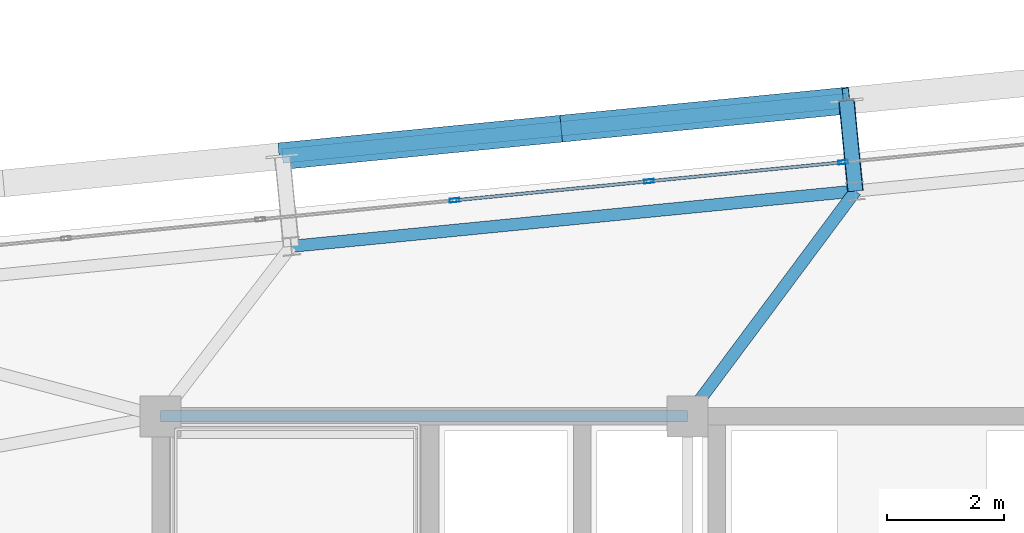
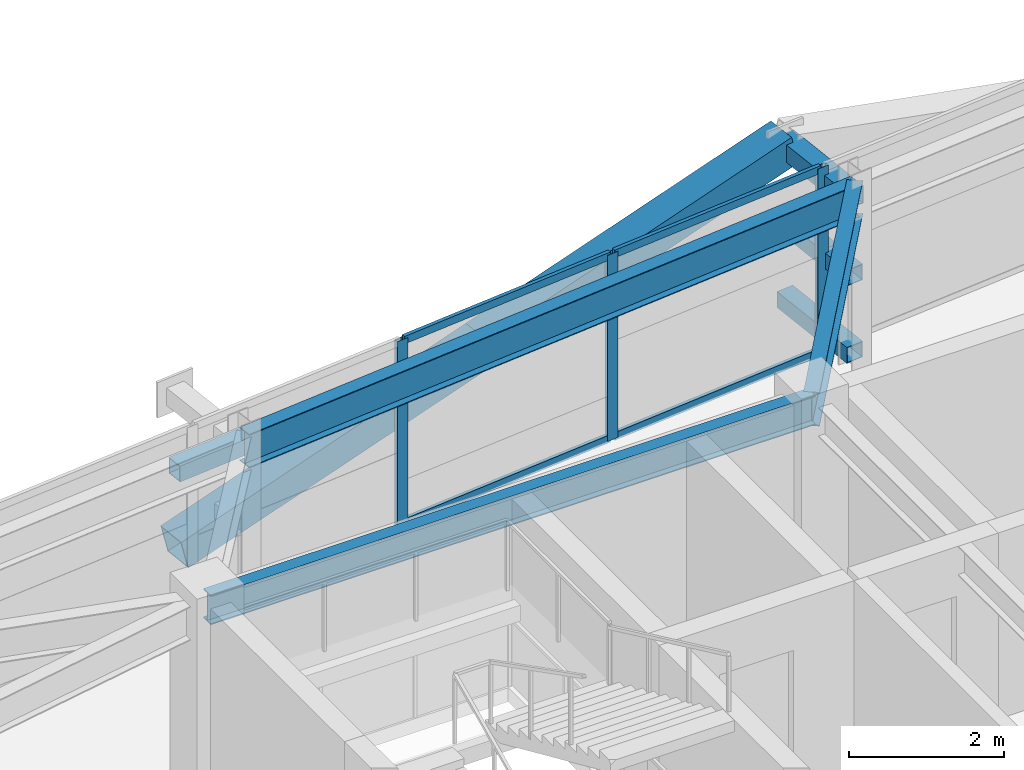
# One storey, part 29 of 53: 13 members, 3 beams, 1 element without a shape of its own.
"""IFC4 building model written with IfcOpenShell, lengths in metres."""

from ifc_helpers import new_model, si_unit, direction, frame, origin, origin_2d, place, context, subcontext, project, spatial, hollow_rectangle, i_section, extrude, source, transform, mapped, material, layer, layer_set, material_profile, profile_set, type_object, element, aggregate, save


model = new_model("IFC4")

# Units and contexts
model_context = context("Model", 3, precision=1e-05, world=origin(), true_north=direction((0.0, 1.0)))
body_context = subcontext(model_context, "Body", "Model", "MODEL_VIEW")
ifc_project = project(units=[si_unit("LENGTHUNIT", "METRE"), si_unit("AREAUNIT", "SQUARE_METRE"), si_unit("VOLUMEUNIT", "CUBIC_METRE"), si_unit("PLANEANGLEUNIT", "RADIAN"), si_unit("MASSUNIT", "GRAM", prefix="KILO")], contexts=[model_context])

# Site, building, storey
site_placement = place(None, origin())
site = spatial("IfcSite", under=ifc_project, at=site_placement, CompositionType="ELEMENT")
building_placement = place(site_placement, origin())
building = spatial("IfcBuilding", under=site, at=building_placement, Name="Taldren Reach Tower", CompositionType="ELEMENT")
storey_placement = place(building_placement, frame((0.0, 0.0, 84.0)))
storey = spatial("IfcBuildingStorey", under=building, at=storey_placement, Name="L25", CompositionType="ELEMENT", Elevation=84.0)

# Beam
ifc_material_1 = material(Name="Steel Gr 350 (350PLUS)", Category="steel")
ifc_material_profile_1 = material_profile(ifc_material_1, i_section(OverallWidth=0.19091796875, OverallDepth=0.4599609375, WebThickness=0.010009765625, FlangeThickness=0.01611328125, at=origin_2d()), Name="460UB82.1")
ifc_profile_set_1 = profile_set([ifc_material_profile_1], Name="Steel Gr 350 (350PLUS)")
beam_type_1 = type_object("IfcBeamType", Name="BM-UB460A", PredefinedType="BEAM", material=ifc_profile_set_1)
shared_shape_1 = source(origin(), body_context, "Body", "SweptSolid", [
    extrude(i_section(OverallWidth=0.19091796875, OverallDepth=0.4599609375, WebThickness=0.010009765625, FlangeThickness=0.01611328125, at=origin_2d()), origin(), (0.0, 0.0, 1.0), 9.0),
])
beam_1_placement = place(storey_placement, frame((19.0, 32.0, 2.699951171875), z_axis=(1.0, 0.0, 0.0), x_axis=(0.0, 1.0, 0.0)))
element("IfcBeam", 1, at=beam_1_placement, inside=storey, type_object=beam_type_1, Name="Core-spine girder L25-SP04", PredefinedType="BEAM", context=body_context, shape_type="MappedRepresentation", body=[
    mapped(shared_shape_1, transform((0.0, 0.0, 0.0), scale=1.0)),
])

# Members
ifc_material_2 = material(Name="Steel Gr 450 (C450L0)", Category="steel")
ifc_material_profile_2 = material_profile(ifc_material_2, hollow_rectangle(XDim=0.27490234375, YDim=0.27490234375, WallThickness=0.00927734375, at=origin_2d()), Name="275x275x9.3SHS")
ifc_profile_set_2 = profile_set([ifc_material_profile_2], Name="Steel Gr 450 (C450L0)")
member_type_1 = type_object("IfcMemberType", Name="MB-TIE273", PredefinedType="STRUT", material=ifc_profile_set_2)
shared_shape_2 = source(origin(), body_context, "Body", "SweptSolid", [
    extrude(hollow_rectangle(XDim=0.27490234375, YDim=0.27490234375, WallThickness=0.00927734375, at=origin_2d()), origin(), (0.0, 0.0, 1.0), 1.5498046875),
])
member_1_placement = place(storey_placement, frame((30.864501953125, 35.84619140625, 2.64990234375), z_axis=(-0.097663201064, 0.995219523099, 0.0), x_axis=(-0.995219523099, -0.097663201064, 0.0)))
element("IfcMember", 2, at=member_1_placement, inside=storey, type_object=member_type_1, Name="Exoskeleton diaphragm tie strut B2-N3 L25", PredefinedType="STRUT", context=body_context, shape_type="MappedRepresentation", body=[
    mapped(shared_shape_2, transform((0.0, 0.0, 0.0), scale=1.0)),
])
ifc_material_3 = material(Name="Steel Gr 350 (C350L0)", Category="steel")
ifc_material_profile_3 = material_profile(ifc_material_3, hollow_rectangle(XDim=0.25, YDim=0.25, WallThickness=0.010009765625, at=origin_2d()), Name="250x250x10.0SHS")
ifc_profile_set_3 = profile_set([ifc_material_profile_3], Name="Steel Gr 350 (C350L0)")
member_type_2 = type_object("IfcMemberType", Name="MB-POST250", PredefinedType="POST", material=ifc_profile_set_3)
shared_shape_3 = source(origin(), body_context, "Body", "SweptSolid", [
    extrude(hollow_rectangle(XDim=0.25, YDim=0.25, WallThickness=0.010009765625, at=origin_2d()), origin(), (0.0, 0.0, 1.0), 1.5498046875),
])
for number, where, z_axis, x_axis, name in (
    (3, (30.864501953125, 35.84619140625, 0.219970703125), (-0.097663201064, 0.995219523099, 0.0), (-0.995219523099, -0.097663201064, 0.0), "Exoskeleton base diaphragm tie strut B2-N3 L25"),
    (4, (30.864501953125, 35.84619140625, 1.43505859375), (-0.097663201064, 0.995219523099, 0.0), (-0.995219523099, -0.097663201064, 0.0), "Exoskeleton mid-tier diaphragm tie B2-N3 L25"),
):
    element("IfcMember", number, at=place(storey_placement, frame(where, z_axis=z_axis, x_axis=x_axis)), inside=storey, type_object=member_type_2, Name=name, PredefinedType="POST", context=body_context, shape_type="MappedRepresentation", body=[
        mapped(shared_shape_3, transform((0.0, 0.0, 0.0), scale=1.0)),
    ])

# Beams
ifc_material_profile_4 = material_profile(ifc_material_1, i_section(OverallWidth=0.208984375, OverallDepth=0.528076171875, WebThickness=0.009521484375, FlangeThickness=0.01318359375, at=origin_2d()), Name="530UB82.0")
ifc_profile_set_4 = profile_set([ifc_material_profile_4], Name="Steel Gr 350 (350PLUS)")
beam_type_2 = type_object("IfcBeamType", Name="SP-UB530B", PredefinedType="SPANDREL", material=ifc_profile_set_4)
shared_shape_4 = source(origin(), body_context, "Body", "SweptSolid", [
    extrude(i_section(OverallWidth=0.208984375, OverallDepth=0.528076171875, WebThickness=0.009521484375, FlangeThickness=0.01318359375, at=origin_2d()), origin(), (0.0, 0.0, 1.0), 9.679931640625),
])
beam_2_placement = place(storey_placement, frame((30.864501953125, 35.84619140625, 2.666015625), z_axis=(-0.995225162995, -0.097605711627, 0.0), x_axis=(0.097605711627, -0.995225162995, 0.0)))
element("IfcBeam", 5, at=beam_2_placement, inside=storey, type_object=beam_type_2, Name="Perimeter spandrel B2 N3-N2 L25", PredefinedType="SPANDREL", context=body_context, shape_type="MappedRepresentation", body=[
    mapped(shared_shape_4, transform((0.0, 0.0, 0.0), scale=1.0)),
])
ifc_material_profile_5 = material_profile(ifc_material_1, i_section(OverallWidth=0.208984375, OverallDepth=0.532958984375, WebThickness=0.01025390625, FlangeThickness=0.015625, at=origin_2d()), Name="530UB92.4")
ifc_profile_set_5 = profile_set([ifc_material_profile_5], Name="Steel Gr 350 (350PLUS)")
beam_type_3 = type_object("IfcBeamType", Name="BM-UB530A", PredefinedType="BEAM", material=ifc_profile_set_5)
shared_shape_5 = source(origin(), body_context, "Body", "SweptSolid", [
    extrude(i_section(OverallWidth=0.208984375, OverallDepth=0.532958984375, WebThickness=0.01025390625, FlangeThickness=0.015625, at=origin_2d()), origin(), (0.0, 0.0, 1.0), 4.795654296875),
])
beam_3_placement = place(storey_placement, frame((28.0, 32.0, 2.66357421875), z_axis=(0.59730864792, 0.802011458223, 0.0), x_axis=(-0.802011458223, 0.59730864792, 0.0)))
element("IfcBeam", 6, at=beam_3_placement, inside=storey, type_object=beam_type_3, Name="Primary floor girder B2-N3 L25", PredefinedType="BEAM", context=body_context, shape_type="MappedRepresentation", body=[
    mapped(shared_shape_5, transform((0.0, 0.0, 0.0), scale=1.0)),
])

# Members
ifc_material_profile_6 = material_profile(ifc_material_2, hollow_rectangle(XDim=0.4599609375, YDim=0.4599609375, WallThickness=0.01611328125, at=origin_2d()), Name="460x460x16.0SHS")
ifc_profile_set_6 = profile_set([ifc_material_profile_6], Name="Steel Gr 450 (C450L0)")
member_type_3 = type_object("IfcMemberType", Name="MB-EXO457", PredefinedType="BRACE", material=ifc_profile_set_6)
shared_shape_6 = source(origin(), body_context, "Body", "SweptSolid", [
    extrude(hollow_rectangle(XDim=0.4599609375, YDim=0.4599609375, WallThickness=0.01611328125, at=origin_2d()), origin(), (0.0, 0.0, 1.0), 4.990234375),
])
for number, where, z_axis, x_axis, name in (
    (7, (21.079345703125, 36.444091796875, 0.219970703125), (0.965271056716, 0.094667992638, 0.243494883389), (-0.097605711627, 0.995225162995, 0.0), "Exoskeleton Diagrid Brace B2-N2 L25"),
    (8, (25.896240234375, 36.91650390625, 1.43505859375), (0.965287024526, 0.094620633828, 0.24344998652), (-0.097555749586, 0.995230061706, 0.0), "Exoskeleton Diagrid Brace B2-N2 L25"),
):
    element("IfcMember", number, at=place(storey_placement, frame(where, z_axis=z_axis, x_axis=x_axis)), inside=storey, type_object=member_type_3, Name=name, PredefinedType="BRACE", context=body_context, shape_type="MappedRepresentation", body=[
        mapped(shared_shape_6, transform((0.0, 0.0, 0.0), scale=1.0)),
    ])
shared_shape_7 = source(origin(), body_context, "Body", "SweptSolid", [
    extrude(hollow_rectangle(XDim=0.25, YDim=0.25, WallThickness=0.010009765625, at=origin_2d()), origin(), (0.0, 0.0, 1.0), 9.679931640625),
])
member_2_placement = place(storey_placement, frame((21.079345703125, 36.444091796875, 1.43505859375), z_axis=(0.995227612658, 0.097580730699, 0.0), x_axis=(-0.097580730699, 0.995227612658, 0.0)))
element("IfcMember", 9, at=member_2_placement, inside=storey, type_object=member_type_2, Name="Exoskeleton mid-height ring chord B2-N2 L25", PredefinedType="POST", context=body_context, shape_type="MappedRepresentation", body=[
    mapped(shared_shape_7, transform((0.0, 0.0, 0.0), scale=1.0)),
])

# Curtain wall, members
ifc_material_4 = material(Name="Aluminium and Low-E Glass Unitised System", Category="aluminium")
ifc_layer = layer(ifc_material_4, 0.159912109375)
ifc_layer_set = layer_set([ifc_layer], Name="Aluminium and Low-E Glass Unitised System")
curtain_wall_type = type_object("IfcCurtainWallType", Name="CW-SYS-3", PredefinedType="NOTDEFINED", material=ifc_layer_set)
curtain_wall_placement = place(storey_placement, origin())
curtain_wall = element("IfcCurtainWall", 10, at=curtain_wall_placement, inside=storey, type_object=curtain_wall_type, Name="Unitised curtain wall CW-L25-N", PredefinedType="NOTDEFINED")
ifc_material_5 = material(Name="Anodised Aluminium 6063-T6", Category="aluminium")
ifc_material_profile_7 = material_profile(ifc_material_5, hollow_rectangle(XDim=0.06494140625, YDim=0.1650390625, WallThickness=0.00390625, at=origin_2d()), Name="ALU-165x65x4RHS")
ifc_profile_set_7 = profile_set([ifc_material_profile_7], Name="Anodised Aluminium 6063-T6")
member_type_4 = type_object("IfcMemberType", Name="CW-MUL-165", PredefinedType="MULLION", material=ifc_profile_set_7)
shared_shape_8 = source(origin(), body_context, "Body", "SweptSolid", [
    extrude(hollow_rectangle(XDim=0.06494140625, YDim=0.1650390625, WallThickness=0.00390625, at=origin_2d()), origin(), (0.0, 0.0, 1.0), 2.929931640625),
])
member_3_placement = place(storey_placement, frame((30.655517578125, 36.338134765625, 0.0), z_axis=(0.0, 0.0, 1.0), x_axis=(0.097582999046, -0.995227390247, 0.0)))
member_3 = element("IfcMember", 11, at=member_3_placement, type_object=member_type_4, Name="CW-3 mullion 10", PredefinedType="MULLION", context=body_context, shape_type="MappedRepresentation", body=[
    mapped(shared_shape_8, transform((0.0, 0.0, 0.0), scale=1.0)),
])
member_4_placement = place(storey_placement, frame((27.337890625, 36.0126953125, 0.0), z_axis=(0.0, 0.0, 1.0), x_axis=(0.097582999046, -0.995227390247, 0.0)))
member_4 = element("IfcMember", 12, at=member_4_placement, type_object=member_type_4, Name="CW-3 mullion 11", PredefinedType="MULLION", context=body_context, shape_type="MappedRepresentation", body=[
    mapped(shared_shape_8, transform((0.0, 0.0, 0.0), scale=1.0)),
])
member_5_placement = place(storey_placement, frame((24.0205078125, 35.6875, 0.0), z_axis=(0.0, 0.0, 1.0), x_axis=(0.097582999046, -0.995227390247, 0.0)))
member_5 = element("IfcMember", 13, at=member_5_placement, type_object=member_type_4, Name="CW-3 mullion 12", PredefinedType="MULLION", context=body_context, shape_type="MappedRepresentation", body=[
    mapped(shared_shape_8, transform((0.0, 0.0, 0.0), scale=1.0)),
])
ifc_material_profile_8 = material_profile(ifc_material_5, hollow_rectangle(XDim=0.054931640625, YDim=0.1201171875, WallThickness=0.0029296875, at=origin_2d()), Name="ALU-120x55x3RHS")
ifc_profile_set_8 = profile_set([ifc_material_profile_8], Name="Anodised Aluminium 6063-T6")
member_type_5 = type_object("IfcMemberType", Name="CW-TRN-135", PredefinedType="USERDEFINED", material=ifc_profile_set_8)
shared_shape_9 = source(origin(), body_context, "Body", "SweptSolid", [
    extrude(hollow_rectangle(XDim=0.054931640625, YDim=0.1201171875, WallThickness=0.0029296875, at=origin_2d()), origin(), (0.0, 0.0, 1.0), 3.268310546875),
])
member_6_placement = place(storey_placement, frame((30.623046875, 36.3349609375, 0.027587890625), z_axis=(-0.995222549564, -0.097632355496, 0.0), x_axis=(0.097632355496, -0.995222549564, 0.0)))
member_6 = element("IfcMember", 14, at=member_6_placement, type_object=member_type_5, Name="CW-3 transom 10.1", ObjectType="TRANSOM", PredefinedType="USERDEFINED", context=body_context, shape_type="MappedRepresentation", body=[
    mapped(shared_shape_9, transform((0.0, 0.0, 0.0), scale=1.0)),
])
member_7_placement = place(storey_placement, frame((30.623046875, 36.3349609375, 2.902587890625), z_axis=(-0.995222549564, -0.097632355496, 0.0), x_axis=(0.097632355496, -0.995222549564, 0.0)))
member_7 = element("IfcMember", 15, at=member_7_placement, type_object=member_type_5, Name="CW-3 transom 10.2", ObjectType="TRANSOM", PredefinedType="USERDEFINED", context=body_context, shape_type="MappedRepresentation", body=[
    mapped(shared_shape_9, transform((0.0, 0.0, 0.0), scale=1.0)),
])
member_8_placement = place(storey_placement, frame((27.3056640625, 36.009521484375, 0.027587890625), z_axis=(-0.99522980512, -0.097558367146, 0.0), x_axis=(0.097558367146, -0.99522980512, 0.0)))
member_8 = element("IfcMember", 16, at=member_8_placement, type_object=member_type_5, Name="CW-3 transom 11.1", ObjectType="TRANSOM", PredefinedType="USERDEFINED", context=body_context, shape_type="MappedRepresentation", body=[
    mapped(shared_shape_9, transform((0.0, 0.0, 0.0), scale=1.0)),
])
member_9_placement = place(storey_placement, frame((27.3056640625, 36.009521484375, 2.902587890625), z_axis=(-0.99522980512, -0.097558367146, 0.0), x_axis=(0.097558367146, -0.99522980512, 0.0)))
member_9 = element("IfcMember", 17, at=member_9_placement, type_object=member_type_5, Name="CW-3 transom 11.2", ObjectType="TRANSOM", PredefinedType="USERDEFINED", context=body_context, shape_type="MappedRepresentation", body=[
    mapped(shared_shape_9, transform((0.0, 0.0, 0.0), scale=1.0)),
])
aggregate(curtain_wall, [member_3, member_4, member_5, member_6, member_7, member_8, member_9])

save(model, "model.ifc")
